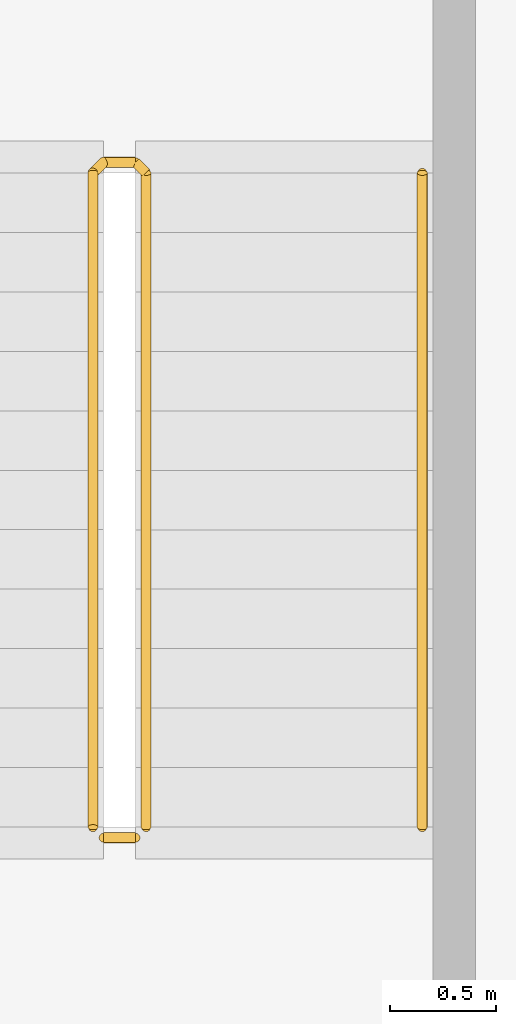
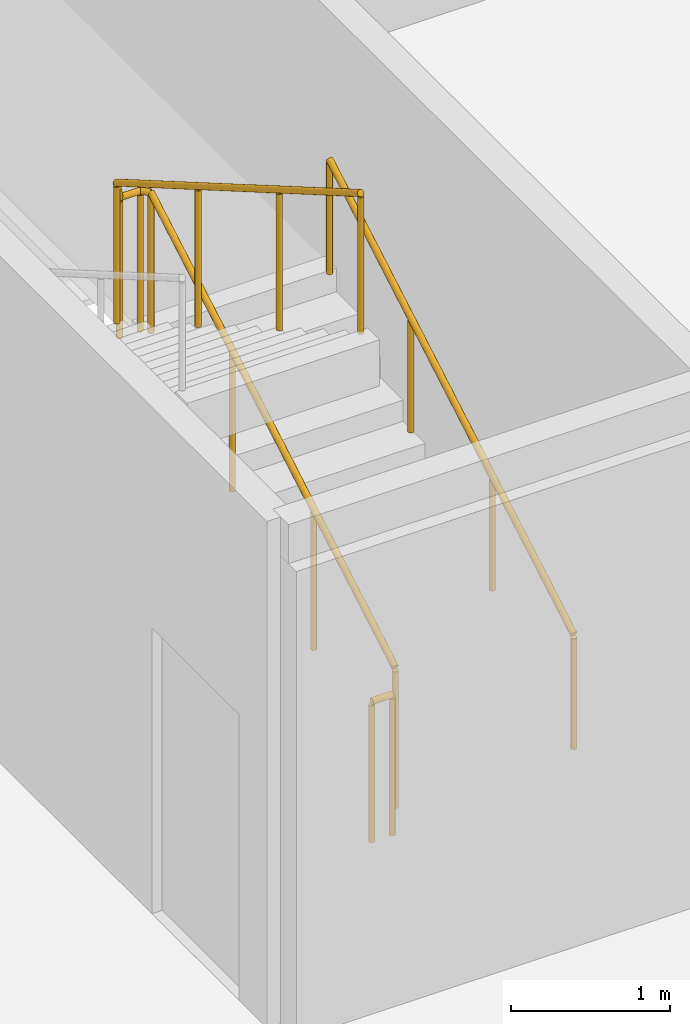
# One storey, part 29 of 30: 3 railings.
"""IFC4 building model written with IfcOpenShell, lengths in metres."""

from ifc_helpers import new_model, si_unit, direction, frame, origin, origin_2d, place, context, subcontext, project, spatial, circle, extrude, material, type_object, element, save


model = new_model("IFC4")

# Units and contexts
model_context = context("Model", 3, precision=1e-05, world=origin(), true_north=direction((0.0, 1.0)))
body_context = subcontext(model_context, "Body", "Model", "MODEL_VIEW")
ifc_project = project(units=[si_unit("LENGTHUNIT", "METRE"), si_unit("AREAUNIT", "SQUARE_METRE"), si_unit("VOLUMEUNIT", "CUBIC_METRE"), si_unit("PLANEANGLEUNIT", "RADIAN"), si_unit("MASSUNIT", "GRAM", prefix="KILO")], contexts=[model_context])

# Site, building, storey
site_placement = place(None, origin())
site = spatial("IfcSite", under=ifc_project, at=site_placement, CompositionType="ELEMENT")
building_placement = place(site_placement, origin())
building = spatial("IfcBuilding", under=site, at=building_placement, Name="Kheshtan School and Residences Tower", CompositionType="ELEMENT")
storey_placement = place(building_placement, frame((0.0, 0.0, 164.300048828125)))
storey = spatial("IfcBuildingStorey", under=building, at=storey_placement, Name="L38", CompositionType="ELEMENT", Elevation=164.300048828125)

# Railings
ifc_material_1 = material(Name="Stainless steel balustrade", Category="steel")
railing_type_1 = type_object("IfcRailingType", Name="Stair guard 1100", PredefinedType="GUARDRAIL", material=ifc_material_1)
railing_1_placement = place(storey_placement, frame((35.0, 80.89990234375, 0.162353515625)))
element("IfcRailing", 1, at=railing_1_placement, inside=storey, type_object=railing_type_1, Name="L38 ST3 stair guard 1", PredefinedType="GUARDRAIL", context=body_context, shape_type="SweptSolid", body=[
    extrude(circle(Radius=0.02392578125, at=origin_2d()), frame((0.0, 0.0, 1.076171875), z_axis=(0.0, 0.864890721111, 0.501960198159), x_axis=(-1.0, 0.0, 0.0)), (0.0, 0.0, 1.0), 3.561279296875),
    extrude(circle(Radius=0.02392578125, at=origin_2d()), frame((0.0, 3.080078125, 2.86376953125), z_axis=(-0.707106781187, 0.707106781187, 0.0), x_axis=(-0.707106781187, -0.707106781187, 0.0)), (0.0, 0.0, 1.0), 0.07080078125),
    extrude(circle(Radius=0.02392578125, at=origin_2d()), frame((-0.050048828125, 3.130126953125, 2.86376953125), z_axis=(-1.0, 0.0, 0.0), x_axis=(0.0, -1.0, 0.0)), (0.0, 0.0, 1.0), 0.14990234375),
    extrude(circle(Radius=0.02392578125, at=origin_2d()), frame((-0.199951171875, 3.130126953125, 2.86376953125), z_axis=(-0.282227285176, -0.282227285176, 0.916894497205), x_axis=(0.707106781187, -0.707106781187, 0.0)), (0.0, 0.0, 1.0), 0.17724609375),
    extrude(circle(Radius=0.02392578125, at=origin_2d()), frame((-0.25, 3.080078125, 3.0263671875), z_axis=(0.0, -0.864920483161, 0.501908913857), x_axis=(1.0, 0.0, 0.0)), (0.0, 0.0, 1.0), 3.56103515625),
    extrude(circle(Radius=0.02099609375, at=origin_2d()), origin(), (0.0, 0.0, 1.0), 1.052001953125),
    extrude(circle(Radius=0.02099609375, at=origin_2d()), frame((0.0, 1.026611328125, 0.595947265625)), (0.0, 0.0, 1.0), 1.052001953125),
    extrude(circle(Radius=0.02099609375, at=origin_2d()), frame((0.0, 2.053466796875, 1.191650390625)), (0.0, 0.0, 1.0), 1.052001953125),
    extrude(circle(Radius=0.02099609375, at=origin_2d()), frame((0.0, 3.080078125, 1.78759765625)), (0.0, 0.0, 1.0), 1.052001953125),
    extrude(circle(Radius=0.02099609375, at=origin_2d()), frame((-0.050048828125, 3.130126953125, 1.78759765625)), (0.0, 0.0, 1.0), 1.052001953125),
    extrude(circle(Radius=0.02099609375, at=origin_2d()), frame((-0.199951171875, 3.130126953125, 1.78759765625)), (0.0, 0.0, 1.0), 1.052001953125),
    extrude(circle(Radius=0.02099609375, at=origin_2d()), frame((-0.25, 3.080078125, 1.9501953125)), (0.0, 0.0, 1.0), 1.052001953125),
    extrude(circle(Radius=0.02099609375, at=origin_2d()), frame((-0.25, 2.053466796875, 2.5458984375)), (0.0, 0.0, 1.0), 1.052001953125),
    extrude(circle(Radius=0.02099609375, at=origin_2d()), frame((-0.25, 1.026611328125, 3.141845703125)), (0.0, 0.0, 1.0), 1.052001953125),
    extrude(circle(Radius=0.02099609375, at=origin_2d()), frame((-0.25, 0.0, 3.737548828125)), (0.0, 0.0, 1.0), 1.052001953125),
])
railing_2_placement = place(storey_placement, frame((34.949951171875, 80.85009765625, 0.0)))
element("IfcRailing", 2, at=railing_2_placement, inside=storey, type_object=railing_type_1, Name="L38 ST3 stair guard 2", PredefinedType="GUARDRAIL", context=body_context, shape_type="SweptSolid", body=[
    extrude(circle(Radius=0.02392578125, at=origin_2d()), frame((0.0, 0.0, 1.076171875), z_axis=(-1.0, 0.0, 0.0), x_axis=(0.0, -1.0, 0.0)), (0.0, 0.0, 1.0), 0.14990234375),
    extrude(circle(Radius=0.02099609375, at=origin_2d()), origin(), (0.0, 0.0, 1.0), 1.052001953125),
    extrude(circle(Radius=0.02099609375, at=origin_2d()), frame((-0.14990234375, 0.0, 0.0)), (0.0, 0.0, 1.0), 1.052001953125),
])
ifc_material_2 = material(Name="Stainless steel handrail", Category="steel")
railing_type_2 = type_object("IfcRailingType", Name="Stair handrail 900", PredefinedType="HANDRAIL", material=ifc_material_2)
railing_3_placement = place(storey_placement, frame((36.300048828125, 80.89990234375, 0.162353515625)))
element("IfcRailing", 3, at=railing_3_placement, inside=storey, type_object=railing_type_2, Name="L38 ST3 stair handrail 1", PredefinedType="HANDRAIL", context=body_context, shape_type="SweptSolid", body=[
    extrude(circle(Radius=0.02392578125, at=origin_2d()), frame((0.0, 0.0, 0.8759765625), z_axis=(0.0, 0.864890721111, 0.501960198159), x_axis=(-1.0, 0.0, 0.0)), (0.0, 0.0, 1.0), 3.561279296875),
    extrude(circle(Radius=0.02099609375, at=origin_2d()), origin(), (0.0, 0.0, 1.0), 0.851806640625),
    extrude(circle(Radius=0.02099609375, at=origin_2d()), frame((0.0, 1.026611328125, 0.595947265625)), (0.0, 0.0, 1.0), 0.851806640625),
    extrude(circle(Radius=0.02099609375, at=origin_2d()), frame((0.0, 2.053466796875, 1.191650390625)), (0.0, 0.0, 1.0), 0.851806640625),
    extrude(circle(Radius=0.02099609375, at=origin_2d()), frame((0.0, 3.080078125, 1.78759765625)), (0.0, 0.0, 1.0), 0.851806640625),
])

save(model, "model.ifc")
